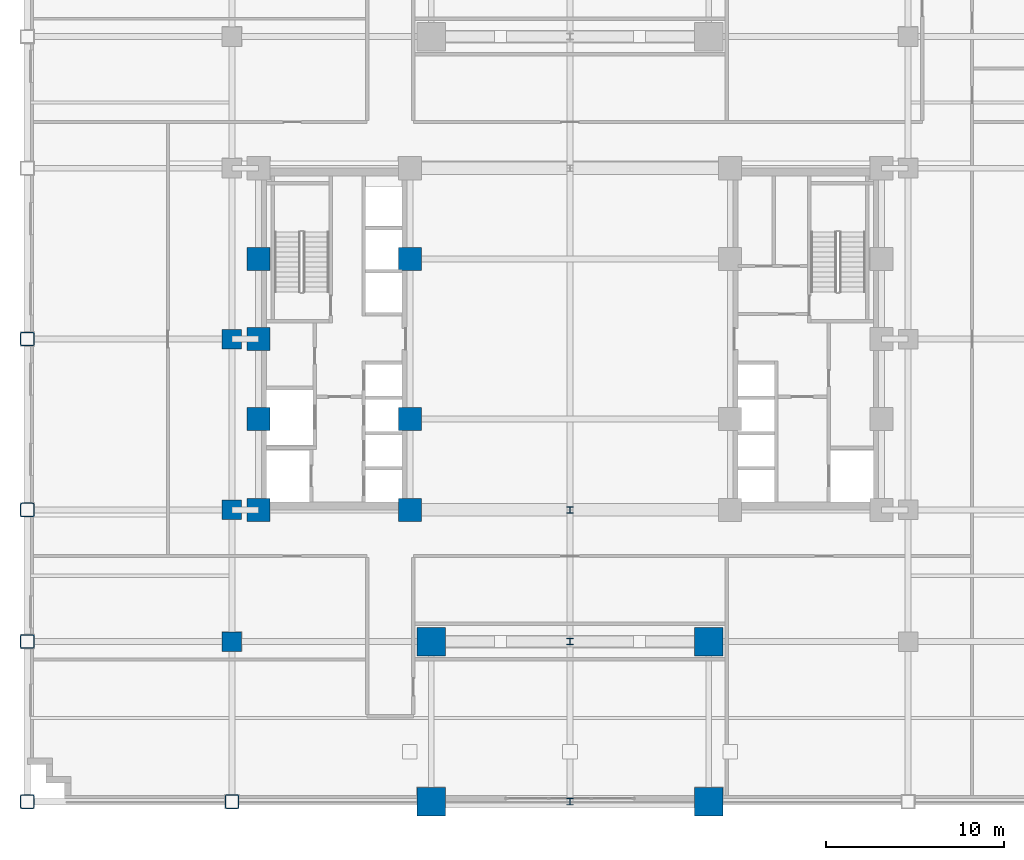
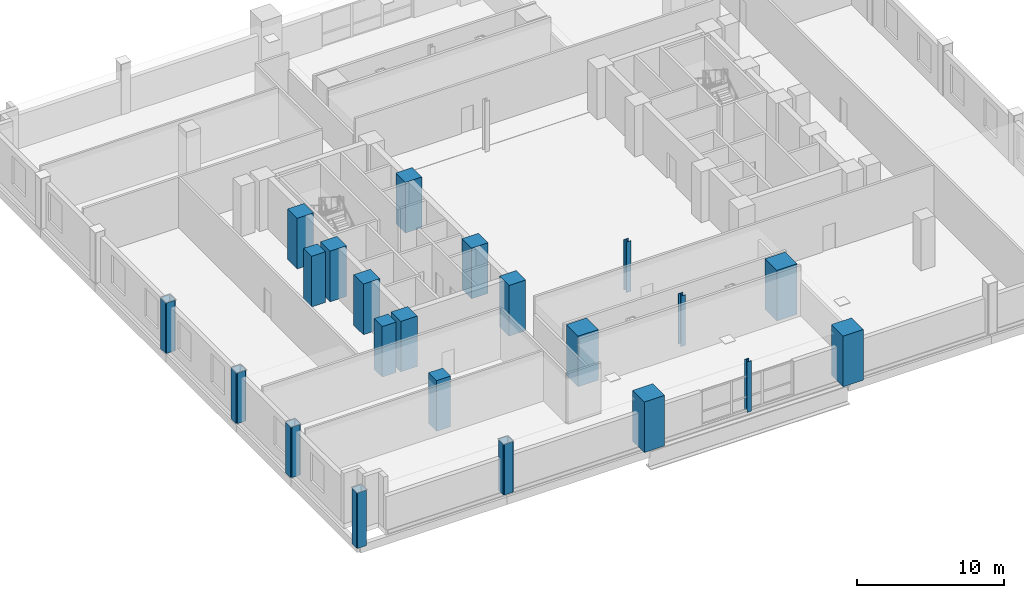
# One storey, part 1 of 17: 22 columns.
"""IFC4 building model written with IfcOpenShell, lengths in metres."""

from ifc_helpers import new_model, si_unit, direction, frame, origin, origin_2d, place, context, subcontext, project, spatial, rectangle, hollow_rectangle, i_section, extrude, material, material_profile, profile_set, type_object, element, save


model = new_model("IFC4")

# Units and contexts
model_context = context("Model", 3, precision=1e-05, world=origin(), true_north=direction((0.0, 1.0)))
body_context = subcontext(model_context, "Body", "Model", "MODEL_VIEW")
ifc_project = project(units=[si_unit("LENGTHUNIT", "METRE"), si_unit("AREAUNIT", "SQUARE_METRE"), si_unit("VOLUMEUNIT", "CUBIC_METRE"), si_unit("PLANEANGLEUNIT", "RADIAN"), si_unit("MASSUNIT", "GRAM", prefix="KILO")], contexts=[model_context])

# Site, building, storey
site_placement = place(None, origin())
site = spatial("IfcSite", under=ifc_project, at=site_placement, CompositionType="ELEMENT")
building_placement = place(site_placement, origin())
building = spatial("IfcBuilding", under=site, at=building_placement, Name="Nuvemarco Arch Tower", CompositionType="ELEMENT")
storey_placement = place(building_placement, frame((0.0, 0.0, 23.0)))
storey = spatial("IfcBuildingStorey", under=building, at=storey_placement, Name="L05", CompositionType="ELEMENT", Elevation=23.0)

# Columns
ifc_material_1 = material(Name="Concrete C60/75", Category="concrete")
ifc_material_profile_1 = material_profile(ifc_material_1, rectangle(XDim=1.10009765625, YDim=1.10009765625, at=origin_2d()), Name="RC-COL-1100x1100")
ifc_profile_set_1 = profile_set([ifc_material_profile_1], Name="Concrete C60/75")
column_type_1 = type_object("IfcColumnType", Name="COL-CORE-1100", PredefinedType="COLUMN", material=ifc_profile_set_1)
for number, where, z_axis, x_axis, name in (
    (1, (-19.0, -17.0, 0.0), (0.0, 0.0, 1.0), (1.0, 0.0, 0.0), "L05 column CP_-19.0_-17.0"),
    (2, (-19.0, -9.60009765625, 0.0), (0.0, 0.0, 1.0), (1.0, 0.0, 0.0), "L05 column CP_-19.0_-9.6"),
    (3, (-19.0, 0.0, 0.0), (0.0, 0.0, 1.0), (1.0, 0.0, 0.0), "L05 column CP_-19.0_+0.0"),
):
    element("IfcColumn", number, at=place(storey_placement, frame(where, z_axis=z_axis, x_axis=x_axis)), inside=storey, type_object=column_type_1, Name=name, PredefinedType="COLUMN", context=body_context, shape_type="SweptSolid", body=[
        extrude(rectangle(XDim=1.10009765625, YDim=1.10009765625, at=origin_2d()), origin(), (0.0, 0.0, 1.0), 4.199951171875),
    ])
ifc_material_profile_2 = material_profile(ifc_material_1, rectangle(XDim=1.300048828125, YDim=1.300048828125, at=origin_2d()), Name="RC-COL-1300x1300")
ifc_profile_set_2 = profile_set([ifc_material_profile_2], Name="Concrete C60/75")
column_type_2 = type_object("IfcColumnType", Name="COL-CORE-1300", PredefinedType="COLUMN", material=ifc_profile_set_2)
for number, where, z_axis, x_axis, name in (
    (4, (-17.5, -9.60009765625, 0.0), (0.0, 0.0, 1.0), (1.0, 0.0, 0.0), "L05 column CC_-17.5_-9.6"),
    (5, (-17.5, -4.5, 0.0), (0.0, 0.0, 1.0), (1.0, 0.0, 0.0), "L05 column CC_-17.5_-4.5"),
    (6, (-17.5, 4.5, 0.0), (0.0, 0.0, 1.0), (1.0, 0.0, 0.0), "L05 column CC_-17.5_+4.5"),
    (7, (-9.0, -9.60009765625, 0.0), (0.0, 0.0, 1.0), (1.0, 0.0, 0.0), "L05 column CC_-9.0_-9.6"),
    (8, (-9.0, -4.5, 0.0), (0.0, 0.0, 1.0), (1.0, 0.0, 0.0), "L05 column CC_-9.0_-4.5"),
    (9, (-9.0, 4.5, 0.0), (0.0, 0.0, 1.0), (1.0, 0.0, 0.0), "L05 column CC_-9.0_+4.5"),
    (10, (-17.5, 0.0, 0.0), (0.0, 0.0, 1.0), (1.0, 0.0, 0.0), "L05 column CC_-17.5_+0.0"),
):
    element("IfcColumn", number, at=place(storey_placement, frame(where, z_axis=z_axis, x_axis=x_axis)), inside=storey, type_object=column_type_2, Name=name, PredefinedType="COLUMN", context=body_context, shape_type="SweptSolid", body=[
        extrude(rectangle(XDim=1.300048828125, YDim=1.300048828125, at=origin_2d()), origin(), (0.0, 0.0, 1.0), 4.199951171875),
    ])
ifc_material_2 = material(Name="Steel S460", Category="steel")
ifc_material_profile_3 = material_profile(ifc_material_2, hollow_rectangle(XDim=0.800048828125, YDim=0.800048828125, WallThickness=0.054931640625, InnerFilletRadius=0.054931640625, OuterFilletRadius=0.110107421875, at=origin_2d()), Name="SHS800x800x55")
ifc_profile_set_3 = profile_set([ifc_material_profile_3], Name="Steel S460")
column_type_3 = type_object("IfcColumnType", Name="COL-EXO-800", PredefinedType="COLUMN", material=ifc_profile_set_3)
column_1_placement = place(storey_placement, frame((-30.5, -26.0, -0.39990234375), z_axis=(0.0, 0.0, 1.0), x_axis=(1.0, 0.0, 0.0)))
element("IfcColumn", 11, at=column_1_placement, inside=storey, type_object=column_type_3, Name="L05 column CP_-30.5_-26.0", PredefinedType="COLUMN", context=body_context, shape_type="SweptSolid", body=[
    extrude(hollow_rectangle(XDim=0.800048828125, YDim=0.800048828125, WallThickness=0.054931640625, InnerFilletRadius=0.054931640625, OuterFilletRadius=0.110107421875, at=origin_2d()), origin(), (0.0, 0.0, 1.0), 4.599853515625),
])
for number, where, z_axis, x_axis, name in (
    (12, (-30.5, -17.0, 0.0), (0.0, 0.0, 1.0), (1.0, 0.0, 0.0), "L05 column CP_-30.5_-17.0"),
    (13, (-30.5, -9.60009765625, 0.0), (0.0, 0.0, 1.0), (1.0, 0.0, 0.0), "L05 column CP_-30.5_-9.6"),
    (14, (-30.5, 0.0, 0.0), (0.0, 0.0, 1.0), (1.0, 0.0, 0.0), "L05 column CP_-30.5_+0.0"),
    (15, (-19.0, -26.0, 0.0), (0.0, 0.0, 1.0), (1.0, 0.0, 0.0), "L05 column CP_-19.0_-26.0"),
):
    element("IfcColumn", number, at=place(storey_placement, frame(where, z_axis=z_axis, x_axis=x_axis)), inside=storey, type_object=column_type_3, Name=name, PredefinedType="COLUMN", context=body_context, shape_type="SweptSolid", body=[
        extrude(hollow_rectangle(XDim=0.800048828125, YDim=0.800048828125, WallThickness=0.054931640625, InnerFilletRadius=0.054931640625, OuterFilletRadius=0.110107421875, at=origin_2d()), origin(), (0.0, 0.0, 1.0), 4.199951171875),
    ])
ifc_material_profile_4 = material_profile(ifc_material_1, rectangle(XDim=1.60009765625, YDim=1.60009765625, at=origin_2d()), Name="RC-COL-1600x1600")
ifc_profile_set_4 = profile_set([ifc_material_profile_4], Name="Concrete C60/75")
column_type_4 = type_object("IfcColumnType", Name="COL-MEGA-1600", PredefinedType="COLUMN", material=ifc_profile_set_4)
for number, where, z_axis, x_axis, name in (
    (16, (-7.800048828125, -26.0, 0.0), (0.0, 0.0, 1.0), (1.0, 0.0, 0.0), "L05 column CM_-7.8_-26.0"),
    (17, (-7.800048828125, -17.0, 0.0), (0.0, 0.0, 1.0), (1.0, 0.0, 0.0), "L05 column CM_-7.8_-17.0"),
    (18, (7.800048828125, -26.0, 0.0), (0.0, 0.0, 1.0), (1.0, 0.0, 0.0), "L05 column CM_+7.8_-26.0"),
    (19, (7.800048828125, -17.0, 0.0), (0.0, 0.0, 1.0), (1.0, 0.0, 0.0), "L05 column CM_+7.8_-17.0"),
):
    element("IfcColumn", number, at=place(storey_placement, frame(where, z_axis=z_axis, x_axis=x_axis)), inside=storey, type_object=column_type_4, Name=name, PredefinedType="COLUMN", context=body_context, shape_type="SweptSolid", body=[
        extrude(rectangle(XDim=1.60009765625, YDim=1.60009765625, at=origin_2d()), origin(), (0.0, 0.0, 1.0), 4.199951171875),
    ])
ifc_material_3 = material(Name="Steel S355", Category="steel")
ifc_material_profile_5 = material_profile(ifc_material_3, i_section(OverallWidth=0.360107421875, OverallDepth=0.360107421875, WebThickness=0.0205078125, FlangeThickness=0.0205078125, FilletRadius=0.01806640625, at=origin_2d()), Name="HP360x174")
ifc_profile_set_5 = profile_set([ifc_material_profile_5], Name="Steel S355")
column_type_5 = type_object("IfcColumnType", Name="COL-STL-HP360", PredefinedType="COLUMN", material=ifc_profile_set_5)
for number, where, z_axis, x_axis, name in (
    (20, (0.0, -17.0, 0.0), (0.0, 0.0, 1.0), (1.0, 0.0, 0.0), "L05 column CB_0.0_-17.0"),
    (21, (0.0, -9.60009765625, 0.0), (0.0, 0.0, 1.0), (1.0, 0.0, 0.0), "L05 column CB_0.0_-9.6"),
):
    element("IfcColumn", number, at=place(storey_placement, frame(where, z_axis=z_axis, x_axis=x_axis)), inside=storey, type_object=column_type_5, Name=name, PredefinedType="COLUMN", context=body_context, shape_type="SweptSolid", body=[
        extrude(i_section(OverallWidth=0.360107421875, OverallDepth=0.360107421875, WebThickness=0.0205078125, FlangeThickness=0.0205078125, FilletRadius=0.01806640625, at=origin_2d()), origin(), (0.0, 0.0, 1.0), 4.199951171875),
    ])
ifc_material_profile_6 = material_profile(ifc_material_3, i_section(OverallWidth=0.360107421875, OverallDepth=0.360107421875, WebThickness=0.0205078125, FlangeThickness=0.0205078125, FilletRadius=0.01806640625, at=origin_2d()), Name="HP360x174")
ifc_profile_set_6 = profile_set([ifc_material_profile_6], Name="Steel S355")
column_type_6 = type_object("IfcColumnType", Name="COL-STL-HP360-EXT", PredefinedType="COLUMN", material=ifc_profile_set_6)
column_2_placement = place(storey_placement, frame((0.0, -26.0, 0.0), z_axis=(0.0, 0.0, 1.0), x_axis=(1.0, 0.0, 0.0)))
element("IfcColumn", 22, at=column_2_placement, inside=storey, type_object=column_type_6, Name="L05 column CB_0.0_-26.0", PredefinedType="COLUMN", context=body_context, shape_type="SweptSolid", body=[
    extrude(i_section(OverallWidth=0.360107421875, OverallDepth=0.360107421875, WebThickness=0.0205078125, FlangeThickness=0.0205078125, FilletRadius=0.01806640625, at=origin_2d()), origin(), (0.0, 0.0, 1.0), 4.199951171875),
])

save(model, "model.ifc")
